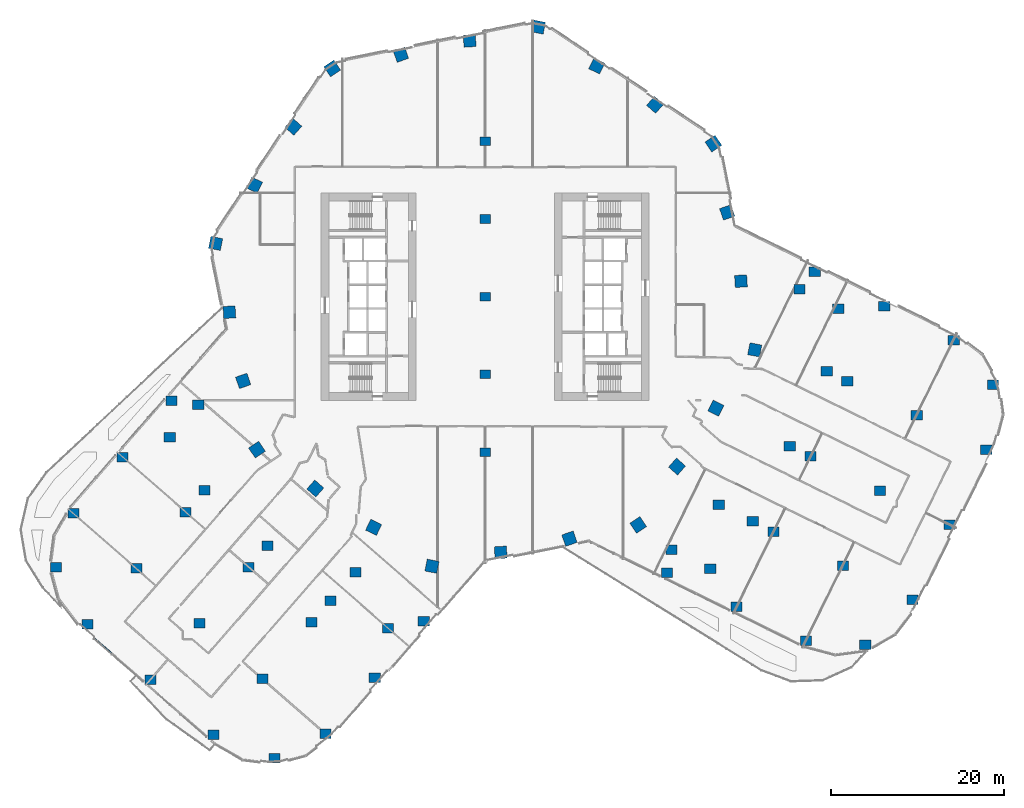
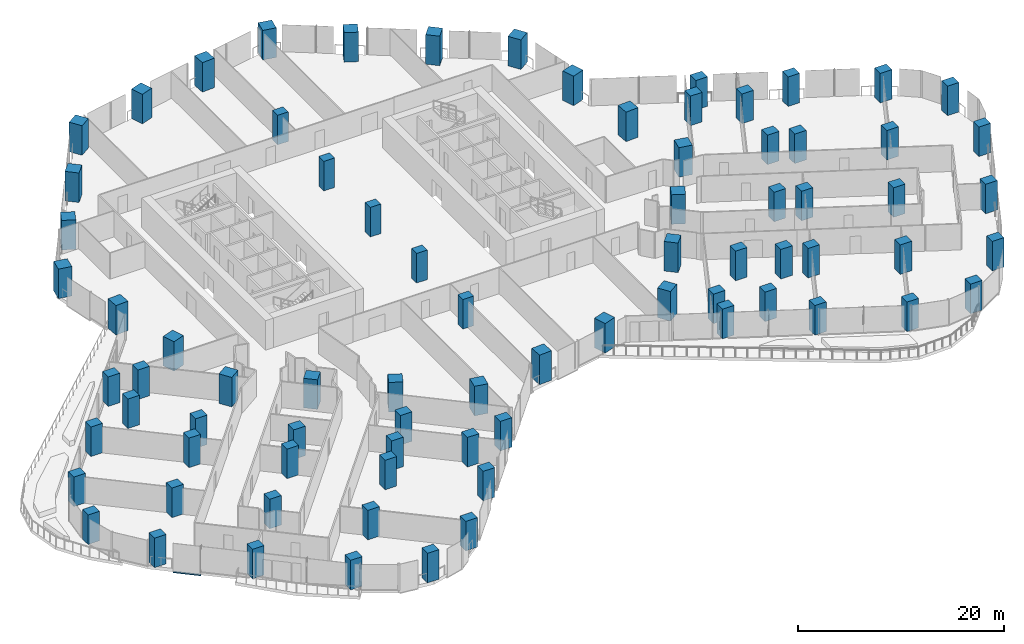
# One storey, part 1 of 32: 78 columns, 1 member, 1 element without a shape of its own.
"""IFC4 building model written with IfcOpenShell, lengths in metres."""

from ifc_helpers import new_model, si_unit, direction, frame, origin, origin_2d, place, context, subcontext, project, spatial, rectangle, extrude, material, material_profile, profile_set, type_object, element, aggregate, save


model = new_model("IFC4")

# Units and contexts
model_context = context("Model", 3, precision=1e-05, world=origin(), true_north=direction((0.0, 1.0)))
body_context = subcontext(model_context, "Body", "Model", "MODEL_VIEW")
ifc_project = project(units=[si_unit("LENGTHUNIT", "METRE"), si_unit("AREAUNIT", "SQUARE_METRE"), si_unit("VOLUMEUNIT", "CUBIC_METRE"), si_unit("PLANEANGLEUNIT", "RADIAN"), si_unit("MASSUNIT", "GRAM", prefix="KILO")], contexts=[model_context])

# Site, building, storey
site_placement = place(None, origin())
site = spatial("IfcSite", under=ifc_project, at=site_placement, CompositionType="ELEMENT")
building_placement = place(site_placement, origin())
building = spatial("IfcBuilding", under=site, at=building_placement, Name="Orlundy Tower", CompositionType="ELEMENT")
storey_placement = place(building_placement, frame((0.0, 0.0, 58.800048828125)))
storey = spatial("IfcBuildingStorey", under=building, at=storey_placement, Name="L13", CompositionType="ELEMENT", Elevation=58.800048828125)

# Columns
ifc_material_1 = material(Name="Concrete C80/95", Category="concrete")
ifc_material_profile_1 = material_profile(ifc_material_1, rectangle(XDim=1.199951171875, YDim=1.0, at=origin_2d()), Name="RC1200X1000")
ifc_profile_set_1 = profile_set([ifc_material_profile_1], Name="Concrete C80/95")
column_type_1 = type_object("IfcColumnType", Name="RC COLUMN RC1200X1000 C80/95", PredefinedType="COLUMN", material=ifc_profile_set_1)
for number, where, z_axis, x_axis, name in (
    (1, (0.0, -18.0, 0.0), (0.0, 0.0, 1.0), (1.0, 0.0, 0.0), "Column C-M1 L13"),
    (2, (0.0, -9.0, 0.0), (0.0, 0.0, 1.0), (1.0, 0.0, 0.0), "Column C-M2 L13"),
    (3, (0.0, 0.0, 0.0), (0.0, 0.0, 1.0), (1.0, 0.0, 0.0), "Column C-M3 L13"),
    (4, (0.0, 9.0, 0.0), (0.0, 0.0, 1.0), (1.0, 0.0, 0.0), "Column C-M4 L13"),
    (5, (0.0, 18.0, 0.0), (0.0, 0.0, 1.0), (1.0, 0.0, 0.0), "Column C-M5 L13"),
):
    element("IfcColumn", number, at=place(storey_placement, frame(where, z_axis=z_axis, x_axis=x_axis)), inside=storey, type_object=column_type_1, Name=name, PredefinedType="COLUMN", context=body_context, shape_type="SweptSolid", body=[
        extrude(rectangle(XDim=1.199951171875, YDim=1.0, at=origin_2d()), origin(), (0.0, 0.0, 1.0), 3.5),
    ])
ifc_material_2 = material(Name="Concrete C80/95", Category="concrete")
ifc_material_profile_2 = material_profile(ifc_material_2, rectangle(XDim=1.300048828125, YDim=1.10009765625, at=origin_2d()), Name="RC1300X1100")
ifc_profile_set_2 = profile_set([ifc_material_profile_2], Name="Concrete C80/95")
column_type_2 = type_object("IfcColumnType", Name="RC COLUMN RC1300X1100 C80/95", PredefinedType="COLUMN", material=ifc_profile_set_2)
for number, where, z_axis, x_axis, name in (
    (6, (21.06298828125, -31.964111328125, 0.0), (0.0, 0.0, 1.0), (1.0, 0.0, 0.0), "Column C-A1-1 L13"),
    (7, (29.111083984375, -35.91796875, 0.0), (0.0, 0.0, 1.0), (1.0, 0.0, 0.0), "Column C-A1-2 L13"),
    (8, (37.157958984375, -39.873046875, 0.0), (0.0, 0.0, 1.0), (1.0, 0.0, 0.0), "Column C-A1-3 L13"),
    (9, (44.01611328125, -40.337890625, 0.0), (0.0, 0.0, 1.0), (1.0, 0.0, 0.0), "Column C-A1-5 L13"),
    (10, (26.06591796875, -31.51806640625, 0.0), (0.0, 0.0, 1.0), (1.0, 0.0, 0.0), "Column C-A1-6 L13"),
    (11, (21.577880859375, -29.31298828125, 0.0), (0.0, 0.0, 1.0), (1.0, 0.0, 0.0), "Column C-A1-7 L13"),
    (12, (33.387939453125, -27.212890625, 0.0), (0.0, 0.0, 1.0), (1.0, 0.0, 0.0), "Column C-A2-2 L13"),
    (13, (41.43603515625, -31.1669921875, 0.0), (0.0, 0.0, 1.0), (1.0, 0.0, 0.0), "Column C-A2-3 L13"),
    (14, (49.48388671875, -35.12109375, 0.0), (0.0, 0.0, 1.0), (1.0, 0.0, 0.0), "Column C-A2-5 L13"),
    (15, (30.9951171875, -26.037109375, 0.0), (0.0, 0.0, 1.0), (1.0, 0.0, 0.0), "Column C-A2-6 L13"),
    (16, (27.0458984375, -24.095947265625, 0.0), (0.0, 0.0, 1.0), (1.0, 0.0, 0.0), "Column C-A2-7 L13"),
    (17, (37.666015625, -18.507080078125, 0.0), (0.0, 0.0, 1.0), (1.0, 0.0, 0.0), "Column C-A3-2 L13"),
    (18, (45.712890625, -22.4609375, 0.0), (0.0, 0.0, 1.0), (1.0, 0.0, 0.0), "Column C-A3-3 L13"),
    (19, (53.760986328125, -26.4150390625, 0.0), (0.0, 0.0, 1.0), (1.0, 0.0, 0.0), "Column C-A3-5 L13"),
    (20, (35.27197265625, -17.3310546875, 0.0), (0.0, 0.0, 1.0), (1.0, 0.0, 0.0), "Column C-A3-6 L13"),
    (21, (41.943115234375, -9.801025390625, 0.0), (0.0, 0.0, 1.0), (1.0, 0.0, 0.0), "Column C-A4-2 L13"),
    (22, (49.990966796875, -13.7548828125, 0.0), (0.0, 0.0, 1.0), (1.0, 0.0, 0.0), "Column C-A4-3 L13"),
    (23, (58.0390625, -17.708984375, 0.0), (0.0, 0.0, 1.0), (1.0, 0.0, 0.0), "Column C-A4-5 L13"),
    (24, (39.550048828125, -8.625, 0.0), (0.0, 0.0, 1.0), (1.0, 0.0, 0.0), "Column C-A4-6 L13"),
    (25, (38.173095703125, 2.85888671875, 0.0), (0.0, 0.0, 1.0), (1.0, 0.0, 0.0), "Column C-A5-1 L13"),
    (26, (46.220947265625, -1.094970703125, 0.0), (0.0, 0.0, 1.0), (1.0, 0.0, 0.0), "Column C-A5-2 L13"),
    (27, (54.26904296875, -5.049072265625, 0.0), (0.0, 0.0, 1.0), (1.0, 0.0, 0.0), "Column C-A5-3 L13"),
    (28, (58.826904296875, -10.193115234375, 0.0), (0.0, 0.0, 1.0), (1.0, 0.0, 0.0), "Column C-A5-5 L13"),
    (29, (40.876953125, -1.3740234375, 0.0), (0.0, 0.0, 1.0), (1.0, 0.0, 0.0), "Column C-A5-6 L13"),
    (30, (36.388916015625, 0.8310546875, 0.0), (0.0, 0.0, 1.0), (1.0, 0.0, 0.0), "Column C-A5-7 L13"),
    (31, (-36.326904296875, -12.072021484375, 0.0), (0.0, 0.0, 1.0), (1.0, 0.0, 0.0), "Column C-B1-1 L13"),
    (32, (-42.009033203125, -18.571044921875, 0.0), (0.0, 0.0, 1.0), (1.0, 0.0, 0.0), "Column C-B1-2 L13"),
    (33, (-47.68896484375, -25.072998046875, 0.0), (0.0, 0.0, 1.0), (1.0, 0.0, 0.0), "Column C-B1-3 L13"),
    (34, (-49.697021484375, -31.322998046875, 0.0), (0.0, 0.0, 1.0), (1.0, 0.0, 0.0), "Column C-B1-5 L13"),
    (35, (-36.531982421875, -16.26708984375, 0.0), (0.0, 0.0, 1.0), (1.0, 0.0, 0.0), "Column C-B1-6 L13"),
    (36, (-33.240966796875, -12.5029296875, 0.0), (0.0, 0.0, 1.0), (1.0, 0.0, 0.0), "Column C-B1-7 L13"),
    (37, (-34.70703125, -24.9560546875, 0.0), (0.0, 0.0, 1.0), (1.0, 0.0, 0.0), "Column C-B2-2 L13"),
    (38, (-40.389892578125, -31.4560546875, 0.0), (0.0, 0.0, 1.0), (1.0, 0.0, 0.0), "Column C-B2-3 L13"),
    (39, (-46.072998046875, -37.955078125, 0.0), (0.0, 0.0, 1.0), (1.0, 0.0, 0.0), "Column C-B2-5 L13"),
    (40, (-32.512939453125, -22.447021484375, 0.0), (0.0, 0.0, 1.0), (1.0, 0.0, 0.0), "Column C-B2-6 L13"),
    (41, (-27.405029296875, -31.341064453125, 0.0), (0.0, 0.0, 1.0), (1.0, 0.0, 0.0), "Column C-B3-2 L13"),
    (42, (-33.087890625, -37.841064453125, 0.0), (0.0, 0.0, 1.0), (1.0, 0.0, 0.0), "Column C-B3-3 L13"),
    (43, (-38.77099609375, -44.340087890625, 0.0), (0.0, 0.0, 1.0), (1.0, 0.0, 0.0), "Column C-B3-5 L13"),
    (44, (-25.2109375, -28.83203125, 0.0), (0.0, 0.0, 1.0), (1.0, 0.0, 0.0), "Column C-B3-6 L13"),
    (45, (-20.10302734375, -37.72705078125, 0.0), (0.0, 0.0, 1.0), (1.0, 0.0, 0.0), "Column C-B4-2 L13"),
    (46, (-25.785888671875, -44.22607421875, 0.0), (0.0, 0.0, 1.0), (1.0, 0.0, 0.0), "Column C-B4-3 L13"),
    (47, (-31.468994140625, -50.72509765625, 0.0), (0.0, 0.0, 1.0), (1.0, 0.0, 0.0), "Column C-B4-5 L13"),
    (48, (-17.908935546875, -35.217041015625, 0.0), (0.0, 0.0, 1.0), (1.0, 0.0, 0.0), "Column C-B4-6 L13"),
    (49, (-15.012939453125, -31.905029296875, 0.0), (0.0, 0.0, 1.0), (1.0, 0.0, 0.0), "Column C-B4-7 L13"),
    (50, (-7.117919921875, -37.612060546875, 0.0), (0.0, 0.0, 1.0), (1.0, 0.0, 0.0), "Column C-B5-1 L13"),
    (51, (-12.801025390625, -44.112060546875, 0.0), (0.0, 0.0, 1.0), (1.0, 0.0, 0.0), "Column C-B5-2 L13"),
    (52, (-18.487060546875, -50.60791015625, 0.0), (0.0, 0.0, 1.0), (1.0, 0.0, 0.0), "Column C-B5-3 L13"),
    (53, (-24.4130859375, -53.431884765625, 0.0), (0.0, 0.0, 1.0), (1.0, 0.0, 0.0), "Column C-B5-5 L13"),
    (54, (-11.248046875, -38.3759765625, 0.0), (0.0, 0.0, 1.0), (1.0, 0.0, 0.0), "Column C-B5-6 L13"),
):
    element("IfcColumn", number, at=place(storey_placement, frame(where, z_axis=z_axis, x_axis=x_axis)), inside=storey, type_object=column_type_2, Name=name, PredefinedType="COLUMN", context=body_context, shape_type="SweptSolid", body=[
        extrude(rectangle(XDim=1.300048828125, YDim=1.10009765625, at=origin_2d()), origin(), (0.0, 0.0, 1.0), 3.5),
    ])
ifc_material_3 = material(Name="Concrete C80/95", Category="concrete")
ifc_material_profile_3 = material_profile(ifc_material_3, rectangle(XDim=1.39990234375, YDim=1.39990234375, at=origin_2d()), Name="RC1400X1400")
ifc_profile_set_3 = profile_set([ifc_material_profile_3], Name="Concrete C80/95")
column_type_3 = type_object("IfcColumnType", Name="RC COLUMN RC1400X1400 C80/95", PredefinedType="COLUMN", material=ifc_profile_set_3)
for number, where, z_axis, x_axis, name in (
    (55, (26.43408203125, 17.718017578125, 0.0), (0.0, 0.0, 1.0), (0.830663928188, 0.5567741359, 0.0), "Column C-H01 L13"),
    (56, (28.029052734375, 9.758056640625, 0.0), (0.0, 0.0, 1.0), (0.94440506567, 0.328784233101, 0.0), "Column C-H02 L13"),
    (57, (29.6240234375, 1.797119140625, 0.0), (0.0, 0.0, 1.0), (0.99816557001, 0.060543330317, 0.0), "Column C-H03 L13"),
    (58, (31.219970703125, -6.1630859375, 0.0), (0.0, 0.0, 1.0), (0.981066863593, -0.193669329425, 0.0), "Column C-H04 L13"),
    (59, (26.718994140625, -12.919921875, 0.0), (0.0, 0.0, 1.0), (0.900273189172, -0.435325378147, 0.0), "Column C-H05 L13"),
    (60, (22.218994140625, -19.677001953125, 0.0), (0.0, 0.0, 1.0), (0.748631814126, -0.66298597789, 0.0), "Column C-H06 L13"),
    (61, (17.718017578125, -26.43408203125, 0.0), (0.0, 0.0, 1.0), (0.5567741359, -0.830663928188, 0.0), "Column C-H07 L13"),
    (62, (9.758056640625, -28.029052734375, 0.0), (0.0, 0.0, 1.0), (0.328784233101, -0.94440506567, 0.0), "Column C-H08 L13"),
    (63, (1.797119140625, -29.6240234375, 0.0), (0.0, 0.0, 1.0), (0.060543330317, -0.99816557001, 0.0), "Column C-H09 L13"),
    (64, (-6.1630859375, -31.219970703125, 0.0), (0.0, 0.0, 1.0), (-0.193669329425, -0.981066863593, 0.0), "Column C-H10 L13"),
    (65, (-12.919921875, -26.718994140625, 0.0), (0.0, 0.0, 1.0), (-0.435325378147, -0.900273189172, 0.0), "Column C-H11 L13"),
    (66, (-19.677001953125, -22.218994140625, 0.0), (0.0, 0.0, 1.0), (-0.66298597789, -0.748631814126, 0.0), "Column C-H12 L13"),
    (67, (-26.43408203125, -17.718017578125, 0.0), (0.0, 0.0, 1.0), (-0.830663928188, -0.5567741359, 0.0), "Column C-H13 L13"),
    (68, (-28.029052734375, -9.758056640625, 0.0), (0.0, 0.0, 1.0), (-0.94440506567, -0.328784233101, 0.0), "Column C-H14 L13"),
    (69, (-29.6240234375, -1.797119140625, 0.0), (0.0, 0.0, 1.0), (-0.99816557001, -0.060543330317, 0.0), "Column C-H15 L13"),
    (70, (-31.219970703125, 6.1630859375, 0.0), (0.0, 0.0, 1.0), (-0.981066863593, 0.193669329425, 0.0), "Column C-H16 L13"),
    (71, (-26.718994140625, 12.919921875, 0.0), (0.0, 0.0, 1.0), (-0.900273189172, 0.435325378147, 0.0), "Column C-H17 L13"),
    (72, (-22.218994140625, 19.677001953125, 0.0), (0.0, 0.0, 1.0), (-0.748631814126, 0.66298597789, 0.0), "Column C-H18 L13"),
    (73, (-17.718017578125, 26.43408203125, 0.0), (0.0, 0.0, 1.0), (-0.5567741359, 0.830663928188, 0.0), "Column C-H19 L13"),
    (74, (-9.758056640625, 28.029052734375, 0.0), (0.0, 0.0, 1.0), (-0.328784233101, 0.94440506567, 0.0), "Column C-H20 L13"),
    (75, (-1.797119140625, 29.6240234375, 0.0), (0.0, 0.0, 1.0), (-0.060543330317, 0.99816557001, 0.0), "Column C-H21 L13"),
    (76, (6.1630859375, 31.219970703125, 0.0), (0.0, 0.0, 1.0), (0.193669329425, 0.981066863593, 0.0), "Column C-H22 L13"),
    (77, (12.919921875, 26.718994140625, 0.0), (0.0, 0.0, 1.0), (0.435325378147, 0.900273189172, 0.0), "Column C-H23 L13"),
    (78, (19.677001953125, 22.218994140625, 0.0), (0.0, 0.0, 1.0), (0.66298597789, 0.748631814126, 0.0), "Column C-H24 L13"),
):
    element("IfcColumn", number, at=place(storey_placement, frame(where, z_axis=z_axis, x_axis=x_axis)), inside=storey, type_object=column_type_3, Name=name, PredefinedType="COLUMN", context=body_context, shape_type="SweptSolid", body=[
        extrude(rectangle(XDim=1.39990234375, YDim=1.39990234375, at=origin_2d()), origin(), (0.0, 0.0, 1.0), 3.5),
    ])

# Curtain wall, member
ifc_material_4 = material(Name="Aluminium bronze anodised", Category="aluminium")
curtain_wall_type = type_object("IfcCurtainWallType", Name="CW1 wall", PredefinedType="NOTDEFINED", material=ifc_material_4)
curtain_wall_placement = place(storey_placement, origin())
curtain_wall = element("IfcCurtainWall", 79, at=curtain_wall_placement, inside=storey, type_object=curtain_wall_type, Name="CW1 run 07", PredefinedType="NOTDEFINED")
ifc_material_5 = material(Name="Aluminium bronze anodised", Category="aluminium")
ifc_material_profile_4 = material_profile(ifc_material_5, rectangle(XDim=0.179931640625, YDim=0.1201171875, at=origin_2d()), Name="CW1 transom 180x120")
ifc_profile_set_4 = profile_set([ifc_material_profile_4], Name="Aluminium bronze anodised")
member_type = type_object("IfcMemberType", Name="CW1 transom 180x120", PredefinedType="USERDEFINED", material=ifc_profile_set_4)
member_placement = place(storey_placement, frame((-43.196044921875, -41.386962890625, -0.340087890625), z_axis=(-0.752787363449, 0.658263765851, 0.0), x_axis=(-0.658263765851, -0.752787363449, 0.0)))
member = element("IfcMember", 80, at=member_placement, type_object=member_type, Name="CW1 transom", ObjectType="TRANSOM", PredefinedType="USERDEFINED", context=body_context, shape_type="SweptSolid", body=[
    extrude(rectangle(XDim=0.179931640625, YDim=0.1201171875, at=origin_2d()), origin(), (0.0, 0.0, 1.0), 2.7275390625),
])
aggregate(curtain_wall, [member])

save(model, "model.ifc")
